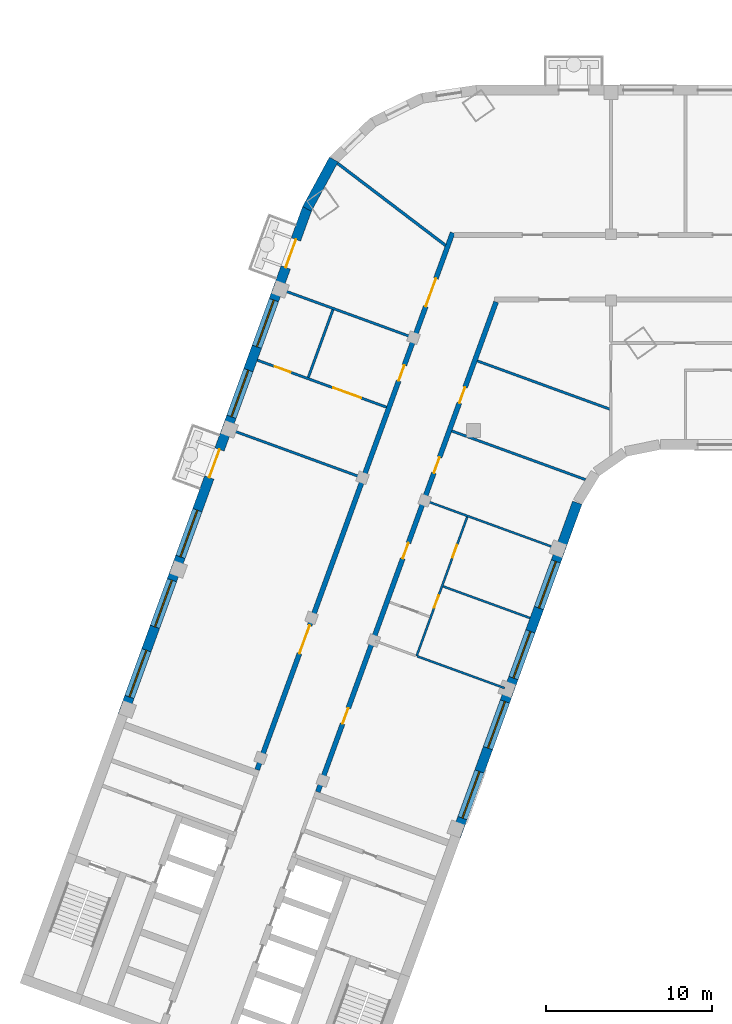
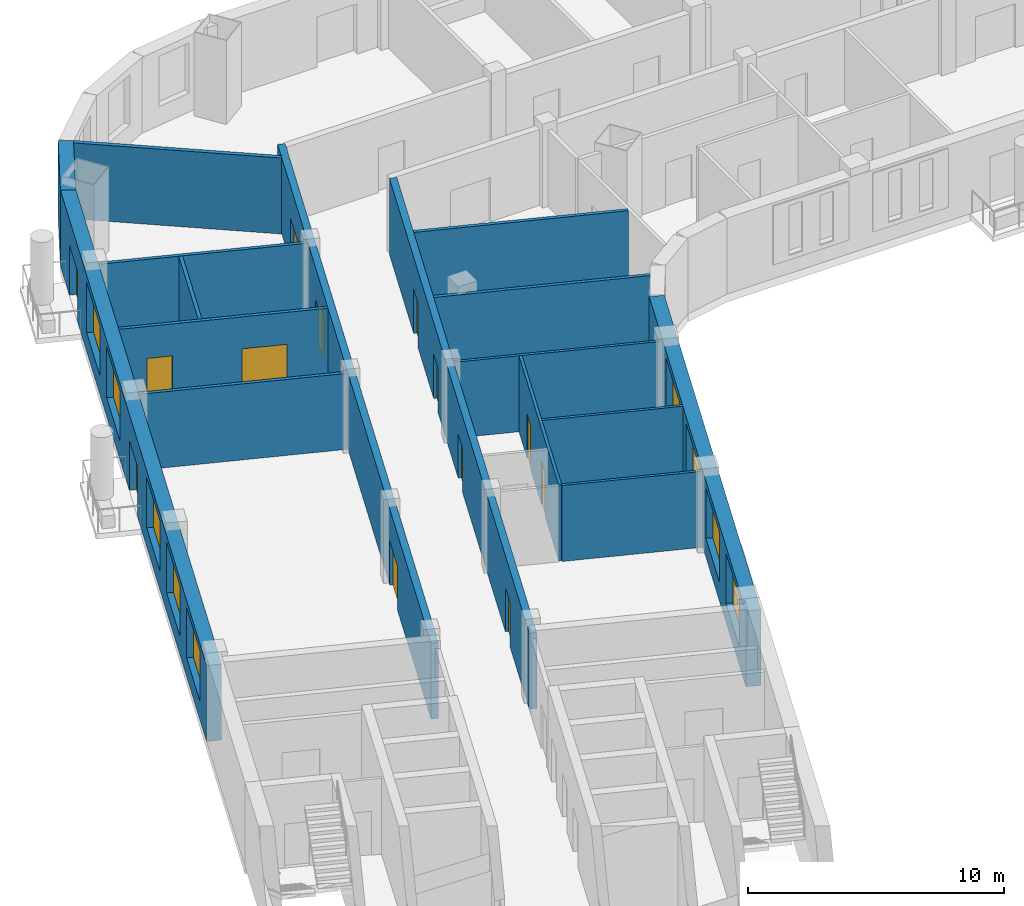
# One storey, part 3 of 13: 16 walls, 13 doors, 9 windows, 22 openings.
"""IFC4 building model written with IfcOpenShell, lengths in metres."""

from ifc_helpers import new_model, si_unit, direction, frame, frame_2d, origin, place, context, subcontext, project, spatial, rectangle, extrude, material, layer, layer_set, type_object, element, fill, save


model = new_model("IFC4")

# Units and contexts
model_context = context("Model", 3, precision=1e-05, world=origin(), true_north=direction((0.0, 1.0)))
body_context = subcontext(model_context, "Body", "Model", "MODEL_VIEW")
ifc_project = project(units=[si_unit("LENGTHUNIT", "METRE"), si_unit("AREAUNIT", "SQUARE_METRE"), si_unit("VOLUMEUNIT", "CUBIC_METRE"), si_unit("PLANEANGLEUNIT", "RADIAN"), si_unit("MASSUNIT", "GRAM", prefix="KILO")], contexts=[model_context])

# Site, building, storey
site_placement = place(None, origin())
site = spatial("IfcSite", under=ifc_project, at=site_placement, CompositionType="ELEMENT")
building_placement = place(site_placement, origin())
building = spatial("IfcBuilding", under=site, at=building_placement, Name="Skarvind Civic Tower", CompositionType="ELEMENT")
storey_placement = place(building_placement, frame((0.0, 0.0, 93.0)))
storey = spatial("IfcBuildingStorey", under=building, at=storey_placement, Name="L21", CompositionType="ELEMENT", Elevation=93.0)

# Wall
ifc_material_1 = material(Name="Acoustic gypsum board on steel studs", Category="steel")
ifc_layer_1 = layer(ifc_material_1, 0.175048828125)
ifc_layer_set_1 = layer_set([ifc_layer_1], Name="ACOUSTIC MEETING-ROOM PARTITION 175")
wall_type_1 = type_object("IfcWallType", Name="ACOUSTIC MEETING-ROOM PARTITION 175", PredefinedType="PARTITIONING", material=ifc_layer_set_1)
wall_1_placement = place(storey_placement, frame((44.256103515625, 129.326904296875, 0.0), z_axis=(0.0, 0.0, 1.0), x_axis=(-0.796040504107, 0.605243352563, 0.0)))
element("IfcWall", 1, at=wall_1_placement, inside=storey, type_object=wall_type_1, Name="Partition 21.013", PredefinedType="PARTITIONING", context=body_context, shape_type="SweptSolid", body=[
    extrude(rectangle(XDim=8.197021484375, YDim=0.175048828125, at=frame_2d((4.0986328125, 0.0))), origin(), (0.0, 0.0, 1.0), 3.625),
])

# Wall, openings, doors
ifc_material_2 = material(Name="Fire-rated gypsum board on steel studs", Category="steel")
ifc_layer_2 = layer(ifc_material_2, 0.300048828125)
ifc_layer_set_2 = layer_set([ifc_layer_2], Name="CORRIDOR WALL 300")
wall_type_2 = type_object("IfcWallType", Name="CORRIDOR WALL 300", PredefinedType="PARTITIONING", material=ifc_layer_set_2)
wall_2_placement = place(storey_placement, frame((32.881103515625, 97.656982421875, 0.0), z_axis=(0.0, 0.0, 1.0), x_axis=(0.342017360004, 0.939693633828, 0.0)))
wall_2 = element("IfcWall", 2, at=wall_2_placement, inside=storey, type_object=wall_type_2, Name="Partition 21.002", PredefinedType="PARTITIONING", context=body_context, shape_type="SweptSolid", body=[
    extrude(rectangle(XDim=34.515625, YDim=0.300048828125, at=frame_2d((17.2578125, 0.0))), origin(), (0.0, 0.0, 1.0), 3.625),
])
opening_1_placement = place(wall_2_placement, frame((7.474853515625, 0.0, 0.0)))
opening_1 = element("IfcOpeningElement", 3, at=opening_1_placement, cuts=wall_2, Name="Opening L21-D015", PredefinedType="OPENING", context=body_context, shape_type="SweptSolid", body=[
    extrude(rectangle(XDim=1.800048828125, YDim=2.10009765625, at=frame_2d((0.89990234375, 1.050048828125))), frame((0.0, 0.159912109375, 0.0), z_axis=(0.0, -1.0, 0.0), x_axis=(1.0, 0.0, 0.0)), (0.0, 0.0, 1.0), 0.320068359375),
])
opening_2_placement = place(wall_2_placement, frame((25.000244140625, 0.0, 0.0)))
opening_2 = element("IfcOpeningElement", 4, at=opening_2_placement, cuts=wall_2, Name="Opening L21-D016", PredefinedType="OPENING", context=body_context, shape_type="SweptSolid", body=[
    extrude(rectangle(XDim=1.0, YDim=2.10009765625, at=frame_2d((0.5, 1.050048828125))), frame((0.0, 0.159912109375, 0.0), z_axis=(0.0, -1.0, 0.0), x_axis=(1.0, 0.0, 0.0)), (0.0, 0.0, 1.0), 0.320068359375),
])
opening_3_placement = place(wall_2_placement, frame((29.778564453125, 0.0, 0.0)))
opening_3 = element("IfcOpeningElement", 5, at=opening_3_placement, cuts=wall_2, Name="Opening L21-D027", PredefinedType="OPENING", context=body_context, shape_type="SweptSolid", body=[
    extrude(rectangle(XDim=1.800048828125, YDim=2.10009765625, at=frame_2d((0.89990234375, 1.050048828125))), frame((0.0, 0.159912109375, 0.0), z_axis=(0.0, -1.0, 0.0), x_axis=(1.0, 0.0, 0.0)), (0.0, 0.0, 1.0), 0.320068359375),
])
ifc_material_3 = material(Name="Fire-rated timber door leaf", Category="wood")
door_type_1 = type_object("IfcDoorType", Name="FD1 1000x2100", OperationType="NOTDEFINED", PredefinedType="DOOR", material=ifc_material_3)
door_1_placement = place(opening_2_placement, origin())
door_1 = element("IfcDoor", 6, at=door_1_placement, inside=storey, type_object=door_type_1, Name="Door L21-D016", OperationType="SINGLE_SWING_LEFT", OverallHeight=2.10009765625, OverallWidth=1.0, PredefinedType="DOOR", context=body_context, shape_type="SweptSolid", body=[
    extrude(rectangle(XDim=1.0, YDim=2.10009765625, at=frame_2d((0.5, 1.050048828125))), frame((0.0, 0.02490234375, 0.0), z_axis=(0.0, -1.0, 0.0), x_axis=(1.0, 0.0, 0.0)), (0.0, 0.0, 1.0), 0.050048828125),
])
fill(opening_2, door_1)
door_type_2 = type_object("IfcDoorType", Name="FD4 1800x2100", OperationType="NOTDEFINED", PredefinedType="DOOR", material=ifc_material_3)
door_2_placement = place(opening_1_placement, origin())
door_2 = element("IfcDoor", 7, at=door_2_placement, inside=storey, type_object=door_type_2, Name="Door L21-D015", OperationType="DOUBLE_DOOR_SINGLE_SWING", OverallHeight=2.10009765625, OverallWidth=1.800048828125, PredefinedType="DOOR", context=body_context, shape_type="SweptSolid", body=[
    extrude(rectangle(XDim=1.800048828125, YDim=2.10009765625, at=frame_2d((0.89990234375, 1.050048828125))), frame((0.0, 0.02490234375, 0.0), z_axis=(0.0, -1.0, 0.0), x_axis=(1.0, 0.0, 0.0)), (0.0, 0.0, 1.0), 0.050048828125),
])
fill(opening_1, door_2)
door_3_placement = place(opening_3_placement, origin())
door_3 = element("IfcDoor", 8, at=door_3_placement, inside=storey, type_object=door_type_2, Name="Door L21-D027", OperationType="DOUBLE_DOOR_SINGLE_SWING", OverallHeight=2.10009765625, OverallWidth=1.800048828125, PredefinedType="DOOR", context=body_context, shape_type="SweptSolid", body=[
    extrude(rectangle(XDim=1.800048828125, YDim=2.10009765625, at=frame_2d((0.89990234375, 1.050048828125))), frame((0.0, 0.02490234375, 0.0), z_axis=(0.0, -1.0, 0.0), x_axis=(1.0, 0.0, 0.0)), (0.0, 0.0, 1.0), 0.050048828125),
])
fill(opening_3, door_3)

wall_3_placement = place(storey_placement, frame((47.31396484375, 125.908935546875, 0.0), z_axis=(0.0, 0.0, 1.0), x_axis=(-0.342010770371, -0.939696032209, 0.0)))
wall_3 = element("IfcWall", 9, at=wall_3_placement, inside=storey, type_object=wall_type_2, Name="Partition 21.016", PredefinedType="PARTITIONING", context=body_context, shape_type="SweptSolid", body=[
    extrude(rectangle(XDim=31.484619140625, YDim=0.300048828125, at=frame_2d((15.7421875, 0.0))), origin(), (0.0, 0.0, 1.0), 3.625),
])
opening_4_placement = place(wall_3_placement, frame((26.109619140625, 0.0, 0.0)))
opening_4 = element("IfcOpeningElement", 10, at=opening_4_placement, cuts=wall_3, Name="Opening L21-D019", PredefinedType="OPENING", context=body_context, shape_type="SweptSolid", body=[
    extrude(rectangle(XDim=1.0, YDim=2.10009765625, at=frame_2d((0.5, 1.050048828125))), frame((0.0, 0.159912109375, 0.0), z_axis=(0.0, -1.0, 0.0), x_axis=(1.0, 0.0, 0.0)), (0.0, 0.0, 1.0), 0.320068359375),
])
opening_5_placement = place(wall_3_placement, frame((15.48486328125, 0.0, 0.0)))
opening_5 = element("IfcOpeningElement", 11, at=opening_5_placement, cuts=wall_3, Name="Opening L21-D020", PredefinedType="OPENING", context=body_context, shape_type="SweptSolid", body=[
    extrude(rectangle(XDim=1.0, YDim=2.10009765625, at=frame_2d((0.5, 1.050048828125))), frame((0.0, 0.159912109375, 0.0), z_axis=(0.0, -1.0, 0.0), x_axis=(1.0, 0.0, 0.0)), (0.0, 0.0, 1.0), 0.320068359375),
])
opening_6_placement = place(wall_3_placement, frame((9.984619140625, 0.0, 0.0)))
opening_6 = element("IfcOpeningElement", 12, at=opening_6_placement, cuts=wall_3, Name="Opening L21-D024", PredefinedType="OPENING", context=body_context, shape_type="SweptSolid", body=[
    extrude(rectangle(XDim=1.0, YDim=2.10009765625, at=frame_2d((0.5, 1.050048828125))), frame((0.0, 0.159912109375, 0.0), z_axis=(0.0, -1.0, 0.0), x_axis=(1.0, 0.0, 0.0)), (0.0, 0.0, 1.0), 0.320068359375),
])
opening_7_placement = place(wall_3_placement, frame((5.484130859375, 0.0, 0.0)))
opening_7 = element("IfcOpeningElement", 13, at=opening_7_placement, cuts=wall_3, Name="Opening L21-D025", PredefinedType="OPENING", context=body_context, shape_type="SweptSolid", body=[
    extrude(rectangle(XDim=1.0, YDim=2.10009765625, at=frame_2d((0.5, 1.050048828125))), frame((0.0, 0.159912109375, 0.0), z_axis=(0.0, -1.0, 0.0), x_axis=(1.0, 0.0, 0.0)), (0.0, 0.0, 1.0), 0.320068359375),
])
door_4_placement = place(opening_4_placement, origin())
door_4 = element("IfcDoor", 14, at=door_4_placement, inside=storey, type_object=door_type_1, Name="Door L21-D019", OperationType="SINGLE_SWING_RIGHT", OverallHeight=2.10009765625, OverallWidth=1.0, PredefinedType="DOOR", context=body_context, shape_type="SweptSolid", body=[
    extrude(rectangle(XDim=1.0, YDim=2.10009765625, at=frame_2d((0.5, 1.050048828125))), frame((0.0, 0.02490234375, 0.0), z_axis=(0.0, -1.0, 0.0), x_axis=(1.0, 0.0, 0.0)), (0.0, 0.0, 1.0), 0.050048828125),
])
fill(opening_4, door_4)
door_5_placement = place(opening_5_placement, origin())
door_5 = element("IfcDoor", 15, at=door_5_placement, inside=storey, type_object=door_type_1, Name="Door L21-D020", OperationType="SINGLE_SWING_LEFT", OverallHeight=2.10009765625, OverallWidth=1.0, PredefinedType="DOOR", context=body_context, shape_type="SweptSolid", body=[
    extrude(rectangle(XDim=1.0, YDim=2.10009765625, at=frame_2d((0.5, 1.050048828125))), frame((0.0, 0.02490234375, 0.0), z_axis=(0.0, -1.0, 0.0), x_axis=(1.0, 0.0, 0.0)), (0.0, 0.0, 1.0), 0.050048828125),
])
fill(opening_5, door_5)
door_6_placement = place(opening_6_placement, origin())
door_6 = element("IfcDoor", 16, at=door_6_placement, inside=storey, type_object=door_type_1, Name="Door L21-D024", OperationType="SINGLE_SWING_LEFT", OverallHeight=2.10009765625, OverallWidth=1.0, PredefinedType="DOOR", context=body_context, shape_type="SweptSolid", body=[
    extrude(rectangle(XDim=1.0, YDim=2.10009765625, at=frame_2d((0.5, 1.050048828125))), frame((0.0, 0.02490234375, 0.0), z_axis=(0.0, -1.0, 0.0), x_axis=(1.0, 0.0, 0.0)), (0.0, 0.0, 1.0), 0.050048828125),
])
fill(opening_6, door_6)
door_7_placement = place(opening_7_placement, origin())
door_7 = element("IfcDoor", 17, at=door_7_placement, inside=storey, type_object=door_type_1, Name="Door L21-D025", OperationType="SINGLE_SWING_LEFT", OverallHeight=2.10009765625, OverallWidth=1.0, PredefinedType="DOOR", context=body_context, shape_type="SweptSolid", body=[
    extrude(rectangle(XDim=1.0, YDim=2.10009765625, at=frame_2d((0.5, 1.050048828125))), frame((0.0, 0.02490234375, 0.0), z_axis=(0.0, -1.0, 0.0), x_axis=(1.0, 0.0, 0.0)), (0.0, 0.0, 1.0), 0.050048828125),
])
fill(opening_7, door_7)

# Wall
ifc_material_4 = material(Name="Plasterboard partition on steel studs", Category="steel")
ifc_layer_3 = layer(ifc_material_4, 0.14990234375)
ifc_layer_set_3 = layer_set([ifc_layer_3], Name="PARTITION 150")
wall_type_3 = type_object("IfcWallType", Name="PARTITION 150", PredefinedType="PARTITIONING", material=ifc_layer_set_3)
wall_4_placement = place(storey_placement, frame((31.35302734375, 118.166015625, 0.0), z_axis=(0.0, 0.0, 1.0), x_axis=(0.939687752599, -0.342033518263, 0.0)))
element("IfcWall", 18, at=wall_4_placement, inside=storey, type_object=wall_type_3, Name="Partition 21.001", PredefinedType="PARTITIONING", context=body_context, shape_type="SweptSolid", body=[
    extrude(rectangle(XDim=8.30078125, YDim=0.14990234375, at=frame_2d((4.150390625, 0.0))), origin(), (0.0, 0.0, 1.0), 3.625),
])

# Wall, openings, doors
wall_5_placement = place(storey_placement, frame((32.89208984375, 122.39501953125, 0.0), z_axis=(0.0, 0.0, 1.0), x_axis=(0.939684311623, -0.3420429717, 0.0)))
wall_5 = element("IfcWall", 19, at=wall_5_placement, inside=storey, type_object=wall_type_3, Name="Partition 21.003", PredefinedType="PARTITIONING", context=body_context, shape_type="SweptSolid", body=[
    extrude(rectangle(XDim=8.300537109375, YDim=0.14990234375, at=frame_2d((4.150390625, 0.0))), origin(), (0.0, 0.0, 1.0), 3.625),
])
opening_8_placement = place(wall_5_placement, frame((1.12548828125, 0.0, 0.0)))
opening_8 = element("IfcOpeningElement", 20, at=opening_8_placement, cuts=wall_5, Name="Opening L21-D017", PredefinedType="OPENING", context=body_context, shape_type="SweptSolid", body=[
    extrude(rectangle(XDim=1.0, YDim=2.10009765625, at=frame_2d((0.5, 1.050048828125))), frame((0.0, 0.0849609375, 0.0), z_axis=(0.0, -1.0, 0.0), x_axis=(1.0, 0.0, 0.0)), (0.0, 0.0, 1.0), 0.169921875),
])
opening_9_placement = place(wall_5_placement, frame((4.88427734375, 0.0, 0.0)))
opening_9 = element("IfcOpeningElement", 21, at=opening_9_placement, cuts=wall_5, Name="Opening L21-D018", PredefinedType="OPENING", context=body_context, shape_type="SweptSolid", body=[
    extrude(rectangle(XDim=1.800048828125, YDim=2.10009765625, at=frame_2d((0.89990234375, 1.050048828125))), frame((0.0, 0.0849609375, 0.0), z_axis=(0.0, -1.0, 0.0), x_axis=(1.0, 0.0, 0.0)), (0.0, 0.0, 1.0), 0.169921875),
])
ifc_material_5 = material(Name="Timber door leaf", Category="wood")
door_type_3 = type_object("IfcDoorType", Name="D1 1000x2100", OperationType="NOTDEFINED", PredefinedType="DOOR", material=ifc_material_5)
door_8_placement = place(opening_8_placement, origin())
door_8 = element("IfcDoor", 22, at=door_8_placement, inside=storey, type_object=door_type_3, Name="Door L21-D017", OperationType="SINGLE_SWING_RIGHT", OverallHeight=2.10009765625, OverallWidth=1.0, PredefinedType="DOOR", context=body_context, shape_type="SweptSolid", body=[
    extrude(rectangle(XDim=1.0, YDim=2.10009765625, at=frame_2d((0.5, 1.050048828125))), frame((0.0, 0.02490234375, 0.0), z_axis=(0.0, -1.0, 0.0), x_axis=(1.0, 0.0, 0.0)), (0.0, 0.0, 1.0), 0.050048828125),
])
fill(opening_8, door_8)
door_type_4 = type_object("IfcDoorType", Name="D4 1800x2100", OperationType="NOTDEFINED", PredefinedType="DOOR", material=ifc_material_5)
door_9_placement = place(opening_9_placement, origin())
door_9 = element("IfcDoor", 23, at=door_9_placement, inside=storey, type_object=door_type_4, Name="Door L21-D018", OperationType="DOUBLE_DOOR_SINGLE_SWING", OverallHeight=2.10009765625, OverallWidth=1.800048828125, PredefinedType="DOOR", context=body_context, shape_type="SweptSolid", body=[
    extrude(rectangle(XDim=1.800048828125, YDim=2.10009765625, at=frame_2d((0.89990234375, 1.050048828125))), frame((0.0, 0.02490234375, 0.0), z_axis=(0.0, -1.0, 0.0), x_axis=(1.0, 0.0, 0.0)), (0.0, 0.0, 1.0), 0.050048828125),
])
fill(opening_9, door_9)

# Walls
wall_6_placement = place(storey_placement, frame((34.430908203125, 126.6240234375, 0.0), z_axis=(0.0, 0.0, 1.0), x_axis=(0.939687752599, -0.342033518263, 0.0)))
element("IfcWall", 24, at=wall_6_placement, inside=storey, type_object=wall_type_3, Name="Partition 21.004", PredefinedType="PARTITIONING", context=body_context, shape_type="SweptSolid", body=[
    extrude(rectangle(XDim=8.30078125, YDim=0.14990234375, at=frame_2d((4.150390625, 0.0))), origin(), (0.0, 0.0, 1.0), 3.625),
])
wall_7_placement = place(storey_placement, frame((37.4599609375, 125.44189453125, 0.0), z_axis=(0.0, 0.0, 1.0), x_axis=(-0.341783611499, -0.939778677621, 0.0)))
element("IfcWall", 25, at=wall_7_placement, inside=storey, type_object=wall_type_3, Name="Partition 21.005", PredefinedType="PARTITIONING", context=body_context, shape_type="SweptSolid", body=[
    extrude(rectangle(XDim=4.350830078125, YDim=0.14990234375, at=frame_2d((2.17529296875, 0.0))), origin(), (0.0, 0.0, 1.0), 3.625),
])
wall_8_placement = place(storey_placement, frame((44.638916015625, 118.1201171875, 0.0), z_axis=(0.0, 0.0, 1.0), x_axis=(0.939669707102, -0.342083091593, 0.0)))
element("IfcWall", 26, at=wall_8_placement, inside=storey, type_object=wall_type_3, Name="Partition 21.014", PredefinedType="PARTITIONING", context=body_context, shape_type="SweptSolid", body=[
    extrude(rectangle(XDim=8.58935546875, YDim=0.14990234375, at=frame_2d((4.294677734375, 0.0))), origin(), (0.0, 0.0, 1.0), 3.625),
])
wall_9_placement = place(storey_placement, frame((54.179931640625, 119.43603515625, 0.0), z_axis=(0.0, 0.0, 1.0), x_axis=(-0.939669476286, 0.342083725624, 0.0)))
element("IfcWall", 27, at=wall_9_placement, inside=storey, type_object=wall_type_3, Name="Partition 21.018", PredefinedType="PARTITIONING", context=body_context, shape_type="SweptSolid", body=[
    extrude(rectangle(XDim=8.515625, YDim=0.14990234375, at=frame_2d((4.2578125, 0.0))), origin(), (0.0, 0.0, 1.0), 3.625),
])
ifc_material_6 = material(Name="Moisture-resistant gypsum board on steel studs", Category="steel")
ifc_layer_4 = layer(ifc_material_6, 0.125)
ifc_layer_set_4 = layer_set([ifc_layer_4], Name="WC PARTITION 125")
wall_type_4 = type_object("IfcWallType", Name="WC PARTITION 125", PredefinedType="PARTITIONING", material=ifc_layer_set_4)
wall_10_placement = place(storey_placement, frame((42.568115234375, 104.507080078125, 0.0), z_axis=(0.0, 0.0, 1.0), x_axis=(0.939681160367, -0.342051628927, 0.0)))
element("IfcWall", 28, at=wall_10_placement, inside=storey, type_object=wall_type_4, Name="Partition 21.008", PredefinedType="PARTITIONING", context=body_context, shape_type="SweptSolid", body=[
    extrude(rectangle(XDim=5.590087890625, YDim=0.125, at=frame_2d((2.794921875, 0.0))), origin(), (0.0, 0.0, 1.0), 3.625),
])

# Wall, openings, doors
wall_11_placement = place(storey_placement, frame((45.569091796875, 112.926025390625, 0.0), z_axis=(0.0, 0.0, 1.0), x_axis=(-0.342072050759, -0.939673726402, 0.0)))
wall_11 = element("IfcWall", 29, at=wall_11_placement, inside=storey, type_object=wall_type_4, Name="Partition 21.009", PredefinedType="PARTITIONING", context=body_context, shape_type="SweptSolid", body=[
    extrude(rectangle(XDim=8.93701171875, YDim=0.125, at=frame_2d((4.468505859375, 0.0))), origin(), (0.0, 0.0, 1.0), 3.625),
])
opening_10_placement = place(wall_11_placement, frame((1.808837890625, 0.0, 0.0)))
opening_10 = element("IfcOpeningElement", 30, at=opening_10_placement, cuts=wall_11, Name="Opening L21-D022", PredefinedType="OPENING", context=body_context, shape_type="SweptSolid", body=[
    extrude(rectangle(XDim=0.800048828125, YDim=2.10009765625, at=frame_2d((0.39990234375, 1.050048828125))), frame((0.0, 0.072509765625, 0.0), z_axis=(0.0, -1.0, 0.0), x_axis=(1.0, 0.0, 0.0)), (0.0, 0.0, 1.0), 0.14501953125),
])
opening_11_placement = place(wall_11_placement, frame((5.0390625, 0.0, 0.0)))
opening_11 = element("IfcOpeningElement", 31, at=opening_11_placement, cuts=wall_11, Name="Opening L21-D023", PredefinedType="OPENING", context=body_context, shape_type="SweptSolid", body=[
    extrude(rectangle(XDim=0.800048828125, YDim=2.10009765625, at=frame_2d((0.39990234375, 1.050048828125))), frame((0.0, 0.072509765625, 0.0), z_axis=(0.0, -1.0, 0.0), x_axis=(1.0, 0.0, 0.0)), (0.0, 0.0, 1.0), 0.14501953125),
])
door_type_5 = type_object("IfcDoorType", Name="DOOR 800X2100 TIMBER", OperationType="NOTDEFINED", PredefinedType="DOOR", material=ifc_material_5)
door_10_placement = place(opening_10_placement, origin())
door_10 = element("IfcDoor", 32, at=door_10_placement, inside=storey, type_object=door_type_5, Name="Door L21-D022", OperationType="SINGLE_SWING_RIGHT", OverallHeight=2.10009765625, OverallWidth=0.800048828125, PredefinedType="DOOR", context=body_context, shape_type="SweptSolid", body=[
    extrude(rectangle(XDim=0.800048828125, YDim=2.10009765625, at=frame_2d((0.39990234375, 1.050048828125))), frame((0.0, 0.02490234375, 0.0), z_axis=(0.0, -1.0, 0.0), x_axis=(1.0, 0.0, 0.0)), (0.0, 0.0, 1.0), 0.050048828125),
])
fill(opening_10, door_10)
door_11_placement = place(opening_11_placement, origin())
door_11 = element("IfcDoor", 33, at=door_11_placement, inside=storey, type_object=door_type_5, Name="Door L21-D023", OperationType="SINGLE_SWING_LEFT", OverallHeight=2.10009765625, OverallWidth=0.800048828125, PredefinedType="DOOR", context=body_context, shape_type="SweptSolid", body=[
    extrude(rectangle(XDim=0.800048828125, YDim=2.10009765625, at=frame_2d((0.39990234375, 1.050048828125))), frame((0.0, 0.02490234375, 0.0), z_axis=(0.0, -1.0, 0.0), x_axis=(1.0, 0.0, 0.0)), (0.0, 0.0, 1.0), 0.050048828125),
])
fill(opening_11, door_11)

# Walls
wall_12_placement = place(storey_placement, frame((43.10009765625, 113.89111328125, 0.0), z_axis=(0.0, 0.0, 1.0), x_axis=(0.939670544866, -0.342080790328, 0.0)))
element("IfcWall", 34, at=wall_12_placement, inside=storey, type_object=wall_type_4, Name="Partition 21.010", PredefinedType="PARTITIONING", context=body_context, shape_type="SweptSolid", body=[
    extrude(rectangle(XDim=8.299560546875, YDim=0.125, at=frame_2d((4.14990234375, 0.0))), origin(), (0.0, 0.0, 1.0), 3.625),
])
wall_13_placement = place(storey_placement, frame((44.110107421875, 108.735107421875, 0.0), z_axis=(0.0, 0.0, 1.0), x_axis=(0.93967599021, -0.342065832002, 0.0)))
element("IfcWall", 35, at=wall_13_placement, inside=storey, type_object=wall_type_4, Name="Partition 21.012", PredefinedType="PARTITIONING", context=body_context, shape_type="SweptSolid", body=[
    extrude(rectangle(XDim=5.5869140625, YDim=0.125, at=frame_2d((2.79345703125, 0.0))), origin(), (0.0, 0.0, 1.0), 3.625),
])

# Wall, openings, windows
ifc_material_7 = material(Name="Limestone masonry cladding on insulated backing", Category="masonry")
ifc_layer_5 = layer(ifc_material_7, 0.60009765625)
ifc_layer_set_5 = layer_set([ifc_layer_5], Name="WX1 STONE FACADE WALL 600")
wall_type_5 = type_object("IfcWallType", Name="WX1 STONE FACADE WALL 600", PredefinedType="SOLIDWALL", material=ifc_layer_set_5)
wall_14_placement = place(storey_placement, frame((52.212158203125, 113.78271484375, 0.0), z_axis=(0.0, 0.0, 1.0), x_axis=(-0.34202521188, -0.939690775968, 0.0)))
wall_14 = element("IfcWall", 36, at=wall_14_placement, inside=storey, type_object=wall_type_5, Name="STONE FACADE WALL", PredefinedType="SOLIDWALL", context=body_context, shape_type="SweptSolid", body=[
    extrude(rectangle(XDim=21.744873046875, YDim=0.60009765625, at=frame_2d((10.87255859375, 0.0))), origin(), (0.0, 0.0, 1.0), 3.625),
])
opening_12_placement = place(wall_14_placement, frame((3.764892578125, 0.0, 0.89990234375)))
opening_12 = element("IfcOpeningElement", 37, at=opening_12_placement, cuts=wall_14, Name="Opening WN1", PredefinedType="OPENING", context=body_context, shape_type="SweptSolid", body=[
    extrude(rectangle(XDim=3.0, YDim=2.39990234375, at=frame_2d((1.5, 1.199951171875))), frame((0.0, 0.31005859375, 0.0), z_axis=(0.0, -1.0, 0.0), x_axis=(1.0, 0.0, 0.0)), (0.0, 0.0, 1.0), 0.6201171875),
])
opening_13_placement = place(wall_14_placement, frame((8.264892578125, 0.0, 0.89990234375)))
opening_13 = element("IfcOpeningElement", 38, at=opening_13_placement, cuts=wall_14, Name="Opening WN1", PredefinedType="OPENING", context=body_context, shape_type="SweptSolid", body=[
    extrude(rectangle(XDim=3.0, YDim=2.39990234375, at=frame_2d((1.5, 1.199951171875))), frame((0.0, 0.31005859375, 0.0), z_axis=(0.0, -1.0, 0.0), x_axis=(1.0, 0.0, 0.0)), (0.0, 0.0, 1.0), 0.6201171875),
])
opening_14_placement = place(wall_14_placement, frame((12.764892578125, 0.0, 0.89990234375)))
opening_14 = element("IfcOpeningElement", 39, at=opening_14_placement, cuts=wall_14, Name="Opening WN1", PredefinedType="OPENING", context=body_context, shape_type="SweptSolid", body=[
    extrude(rectangle(XDim=3.0, YDim=2.39990234375, at=frame_2d((1.5, 1.199951171875))), frame((0.0, 0.31005859375, 0.0), z_axis=(0.0, -1.0, 0.0), x_axis=(1.0, 0.0, 0.0)), (0.0, 0.0, 1.0), 0.6201171875),
])
opening_15_placement = place(wall_14_placement, frame((17.264892578125, 0.0, 0.89990234375)))
opening_15 = element("IfcOpeningElement", 40, at=opening_15_placement, cuts=wall_14, Name="Opening WN1", PredefinedType="OPENING", context=body_context, shape_type="SweptSolid", body=[
    extrude(rectangle(XDim=3.0, YDim=2.39990234375, at=frame_2d((1.5, 1.199951171875))), frame((0.0, 0.31005859375, 0.0), z_axis=(0.0, -1.0, 0.0), x_axis=(1.0, 0.0, 0.0)), (0.0, 0.0, 1.0), 0.6201171875),
])
ifc_material_8 = material(Name="Timber frame, double glazing, timber-lined reveal", Category="wood")
window_type = type_object("IfcWindowType", Name="WN1 PUNCHED STONE WINDOW 3000 x 2400", PartitioningType="SINGLE_PANEL", PredefinedType="WINDOW", material=ifc_material_8)
window_1_placement = place(opening_12_placement, origin())
window_1 = element("IfcWindow", 41, at=window_1_placement, inside=storey, type_object=window_type, Name="WN1 WINDOW", OverallHeight=2.39990234375, OverallWidth=3.0, PartitioningType="SINGLE_PANEL", PredefinedType="WINDOW", context=body_context, shape_type="SweptSolid", body=[
    extrude(rectangle(XDim=3.0, YDim=2.39990234375, at=frame_2d((1.5, 1.199951171875))), frame((0.0, 0.030029296875, 0.0), z_axis=(0.0, -1.0, 0.0), x_axis=(1.0, 0.0, 0.0)), (0.0, 0.0, 1.0), 0.06005859375),
])
fill(opening_12, window_1)
window_2_placement = place(opening_13_placement, origin())
window_2 = element("IfcWindow", 42, at=window_2_placement, inside=storey, type_object=window_type, Name="WN1 WINDOW", OverallHeight=2.39990234375, OverallWidth=3.0, PartitioningType="SINGLE_PANEL", PredefinedType="WINDOW", context=body_context, shape_type="SweptSolid", body=[
    extrude(rectangle(XDim=3.0, YDim=2.39990234375, at=frame_2d((1.5, 1.199951171875))), frame((0.0, 0.030029296875, 0.0), z_axis=(0.0, -1.0, 0.0), x_axis=(1.0, 0.0, 0.0)), (0.0, 0.0, 1.0), 0.06005859375),
])
fill(opening_13, window_2)
window_3_placement = place(opening_14_placement, origin())
window_3 = element("IfcWindow", 43, at=window_3_placement, inside=storey, type_object=window_type, Name="WN1 WINDOW", OverallHeight=2.39990234375, OverallWidth=3.0, PartitioningType="SINGLE_PANEL", PredefinedType="WINDOW", context=body_context, shape_type="SweptSolid", body=[
    extrude(rectangle(XDim=3.0, YDim=2.39990234375, at=frame_2d((1.5, 1.199951171875))), frame((0.0, 0.030029296875, 0.0), z_axis=(0.0, -1.0, 0.0), x_axis=(1.0, 0.0, 0.0)), (0.0, 0.0, 1.0), 0.06005859375),
])
fill(opening_14, window_3)
window_4_placement = place(opening_15_placement, origin())
window_4 = element("IfcWindow", 44, at=window_4_placement, inside=storey, type_object=window_type, Name="WN1 WINDOW", OverallHeight=2.39990234375, OverallWidth=3.0, PartitioningType="SINGLE_PANEL", PredefinedType="WINDOW", context=body_context, shape_type="SweptSolid", body=[
    extrude(rectangle(XDim=3.0, YDim=2.39990234375, at=frame_2d((1.5, 1.199951171875))), frame((0.0, 0.030029296875, 0.0), z_axis=(0.0, -1.0, 0.0), x_axis=(1.0, 0.0, 0.0)), (0.0, 0.0, 1.0), 0.06005859375),
])
fill(opening_15, window_4)

# Wall
wall_15_placement = place(storey_placement, frame((35.89453125, 131.529541015625, 0.0), z_axis=(0.0, 0.0, 1.0), x_axis=(0.476531180538, 0.879157570618, 0.0)))
element("IfcWall", 45, at=wall_15_placement, inside=storey, type_object=wall_type_5, Name="STONE FACADE WALL", PredefinedType="SOLIDWALL", context=body_context, shape_type="SweptSolid", body=[
    extrude(rectangle(XDim=3.392578125, YDim=0.60009765625, at=frame_2d((1.6962890625, 0.0))), origin(), (0.0, 0.0, 1.0), 3.625),
])

# Wall, openings, doors, windows
wall_16_placement = place(storey_placement, frame((24.66552734375, 100.668701171875, 0.0), z_axis=(0.0, 0.0, 1.0), x_axis=(0.34201964167, 0.939692803373, 0.0)))
wall_16 = element("IfcWall", 46, at=wall_16_placement, inside=storey, type_object=wall_type_5, Name="STONE FACADE WALL", PredefinedType="SOLIDWALL", context=body_context, shape_type="SweptSolid", body=[
    extrude(rectangle(XDim=32.88427734375, YDim=0.60009765625, at=frame_2d((16.442138671875, 0.0))), origin(), (0.0, 0.0, 1.0), 3.625),
])
opening_16_placement = place(wall_16_placement, frame((1.47998046875, 0.0, 0.89990234375)))
opening_16 = element("IfcOpeningElement", 47, at=opening_16_placement, cuts=wall_16, Name="Opening WN1", PredefinedType="OPENING", context=body_context, shape_type="SweptSolid", body=[
    extrude(rectangle(XDim=3.0, YDim=2.39990234375, at=frame_2d((1.5, 1.199951171875))), frame((0.0, 0.31005859375, 0.0), z_axis=(0.0, -1.0, 0.0), x_axis=(1.0, 0.0, 0.0)), (0.0, 0.0, 1.0), 0.6201171875),
])
opening_17_placement = place(wall_16_placement, frame((5.97998046875, 0.0, 0.89990234375)))
opening_17 = element("IfcOpeningElement", 48, at=opening_17_placement, cuts=wall_16, Name="Opening WN1", PredefinedType="OPENING", context=body_context, shape_type="SweptSolid", body=[
    extrude(rectangle(XDim=3.0, YDim=2.39990234375, at=frame_2d((1.5, 1.199951171875))), frame((0.0, 0.31005859375, 0.0), z_axis=(0.0, -1.0, 0.0), x_axis=(1.0, 0.0, 0.0)), (0.0, 0.0, 1.0), 0.6201171875),
])
opening_18_placement = place(wall_16_placement, frame((10.47998046875, 0.0, 0.89990234375)))
opening_18 = element("IfcOpeningElement", 49, at=opening_18_placement, cuts=wall_16, Name="Opening WN1", PredefinedType="OPENING", context=body_context, shape_type="SweptSolid", body=[
    extrude(rectangle(XDim=3.0, YDim=2.39990234375, at=frame_2d((1.5, 1.199951171875))), frame((0.0, 0.31005859375, 0.0), z_axis=(0.0, -1.0, 0.0), x_axis=(1.0, 0.0, 0.0)), (0.0, 0.0, 1.0), 0.6201171875),
])
opening_19_placement = place(wall_16_placement, frame((15.580078125, 0.0, 0.0)))
opening_19 = element("IfcOpeningElement", 50, at=opening_19_placement, cuts=wall_16, Name="Opening DX3", PredefinedType="OPENING", context=body_context, shape_type="SweptSolid", body=[
    extrude(rectangle(XDim=1.800048828125, YDim=2.39990234375, at=frame_2d((0.89990234375, 1.199951171875))), frame((0.0, 0.31005859375, 0.0), z_axis=(0.0, -1.0, 0.0), x_axis=(1.0, 0.0, 0.0)), (0.0, 0.0, 1.0), 0.6201171875),
])
opening_20_placement = place(wall_16_placement, frame((19.47998046875, 0.0, 0.89990234375)))
opening_20 = element("IfcOpeningElement", 51, at=opening_20_placement, cuts=wall_16, Name="Opening WN1", PredefinedType="OPENING", context=body_context, shape_type="SweptSolid", body=[
    extrude(rectangle(XDim=3.0, YDim=2.39990234375, at=frame_2d((1.5, 1.199951171875))), frame((0.0, 0.31005859375, 0.0), z_axis=(0.0, -1.0, 0.0), x_axis=(1.0, 0.0, 0.0)), (0.0, 0.0, 1.0), 0.6201171875),
])
opening_21_placement = place(wall_16_placement, frame((23.97998046875, 0.0, 0.89990234375)))
opening_21 = element("IfcOpeningElement", 52, at=opening_21_placement, cuts=wall_16, Name="Opening WN1", PredefinedType="OPENING", context=body_context, shape_type="SweptSolid", body=[
    extrude(rectangle(XDim=3.0, YDim=2.39990234375, at=frame_2d((1.5, 1.199951171875))), frame((0.0, 0.31005859375, 0.0), z_axis=(0.0, -1.0, 0.0), x_axis=(1.0, 0.0, 0.0)), (0.0, 0.0, 1.0), 0.6201171875),
])
opening_22_placement = place(wall_16_placement, frame((29.080078125, 0.0, 0.0)))
opening_22 = element("IfcOpeningElement", 53, at=opening_22_placement, cuts=wall_16, Name="Opening DX3", PredefinedType="OPENING", context=body_context, shape_type="SweptSolid", body=[
    extrude(rectangle(XDim=1.800048828125, YDim=2.39990234375, at=frame_2d((0.89990234375, 1.199951171875))), frame((0.0, 0.31005859375, 0.0), z_axis=(0.0, -1.0, 0.0), x_axis=(1.0, 0.0, 0.0)), (0.0, 0.0, 1.0), 0.6201171875),
])
ifc_material_9 = material(Name="Timber and glass doorset", Category="wood")
door_type_6 = type_object("IfcDoorType", Name="DX3 TERRACE DOORS 1800 x 2400", OperationType="NOTDEFINED", PredefinedType="DOOR", material=ifc_material_9)
door_12_placement = place(opening_19_placement, origin())
door_12 = element("IfcDoor", 54, at=door_12_placement, inside=storey, type_object=door_type_6, Name="TERRACE DOORS", OperationType="DOUBLE_DOOR_SINGLE_SWING", OverallHeight=2.39990234375, OverallWidth=1.800048828125, PredefinedType="DOOR", context=body_context, shape_type="SweptSolid", body=[
    extrude(rectangle(XDim=1.800048828125, YDim=2.39990234375, at=frame_2d((0.89990234375, 1.199951171875))), frame((0.0, 0.02490234375, 0.0), z_axis=(0.0, -1.0, 0.0), x_axis=(1.0, 0.0, 0.0)), (0.0, 0.0, 1.0), 0.050048828125),
])
fill(opening_19, door_12)
door_13_placement = place(opening_22_placement, origin())
door_13 = element("IfcDoor", 55, at=door_13_placement, inside=storey, type_object=door_type_6, Name="TERRACE DOORS", OperationType="DOUBLE_DOOR_SINGLE_SWING", OverallHeight=2.39990234375, OverallWidth=1.800048828125, PredefinedType="DOOR", context=body_context, shape_type="SweptSolid", body=[
    extrude(rectangle(XDim=1.800048828125, YDim=2.39990234375, at=frame_2d((0.89990234375, 1.199951171875))), frame((0.0, 0.02490234375, 0.0), z_axis=(0.0, -1.0, 0.0), x_axis=(1.0, 0.0, 0.0)), (0.0, 0.0, 1.0), 0.050048828125),
])
fill(opening_22, door_13)
window_5_placement = place(opening_16_placement, origin())
window_5 = element("IfcWindow", 56, at=window_5_placement, inside=storey, type_object=window_type, Name="WN1 WINDOW", OverallHeight=2.39990234375, OverallWidth=3.0, PartitioningType="SINGLE_PANEL", PredefinedType="WINDOW", context=body_context, shape_type="SweptSolid", body=[
    extrude(rectangle(XDim=3.0, YDim=2.39990234375, at=frame_2d((1.5, 1.199951171875))), frame((0.0, 0.030029296875, 0.0), z_axis=(0.0, -1.0, 0.0), x_axis=(1.0, 0.0, 0.0)), (0.0, 0.0, 1.0), 0.06005859375),
])
fill(opening_16, window_5)
window_6_placement = place(opening_17_placement, origin())
window_6 = element("IfcWindow", 57, at=window_6_placement, inside=storey, type_object=window_type, Name="WN1 WINDOW", OverallHeight=2.39990234375, OverallWidth=3.0, PartitioningType="SINGLE_PANEL", PredefinedType="WINDOW", context=body_context, shape_type="SweptSolid", body=[
    extrude(rectangle(XDim=3.0, YDim=2.39990234375, at=frame_2d((1.5, 1.199951171875))), frame((0.0, 0.030029296875, 0.0), z_axis=(0.0, -1.0, 0.0), x_axis=(1.0, 0.0, 0.0)), (0.0, 0.0, 1.0), 0.06005859375),
])
fill(opening_17, window_6)
window_7_placement = place(opening_18_placement, origin())
window_7 = element("IfcWindow", 58, at=window_7_placement, inside=storey, type_object=window_type, Name="WN1 WINDOW", OverallHeight=2.39990234375, OverallWidth=3.0, PartitioningType="SINGLE_PANEL", PredefinedType="WINDOW", context=body_context, shape_type="SweptSolid", body=[
    extrude(rectangle(XDim=3.0, YDim=2.39990234375, at=frame_2d((1.5, 1.199951171875))), frame((0.0, 0.030029296875, 0.0), z_axis=(0.0, -1.0, 0.0), x_axis=(1.0, 0.0, 0.0)), (0.0, 0.0, 1.0), 0.06005859375),
])
fill(opening_18, window_7)
window_8_placement = place(opening_20_placement, origin())
window_8 = element("IfcWindow", 59, at=window_8_placement, inside=storey, type_object=window_type, Name="WN1 WINDOW", OverallHeight=2.39990234375, OverallWidth=3.0, PartitioningType="SINGLE_PANEL", PredefinedType="WINDOW", context=body_context, shape_type="SweptSolid", body=[
    extrude(rectangle(XDim=3.0, YDim=2.39990234375, at=frame_2d((1.5, 1.199951171875))), frame((0.0, 0.030029296875, 0.0), z_axis=(0.0, -1.0, 0.0), x_axis=(1.0, 0.0, 0.0)), (0.0, 0.0, 1.0), 0.06005859375),
])
fill(opening_20, window_8)
window_9_placement = place(opening_21_placement, origin())
window_9 = element("IfcWindow", 60, at=window_9_placement, inside=storey, type_object=window_type, Name="WN1 WINDOW", OverallHeight=2.39990234375, OverallWidth=3.0, PartitioningType="SINGLE_PANEL", PredefinedType="WINDOW", context=body_context, shape_type="SweptSolid", body=[
    extrude(rectangle(XDim=3.0, YDim=2.39990234375, at=frame_2d((1.5, 1.199951171875))), frame((0.0, 0.030029296875, 0.0), z_axis=(0.0, -1.0, 0.0), x_axis=(1.0, 0.0, 0.0)), (0.0, 0.0, 1.0), 0.06005859375),
])
fill(opening_21, window_9)

save(model, "model.ifc")
